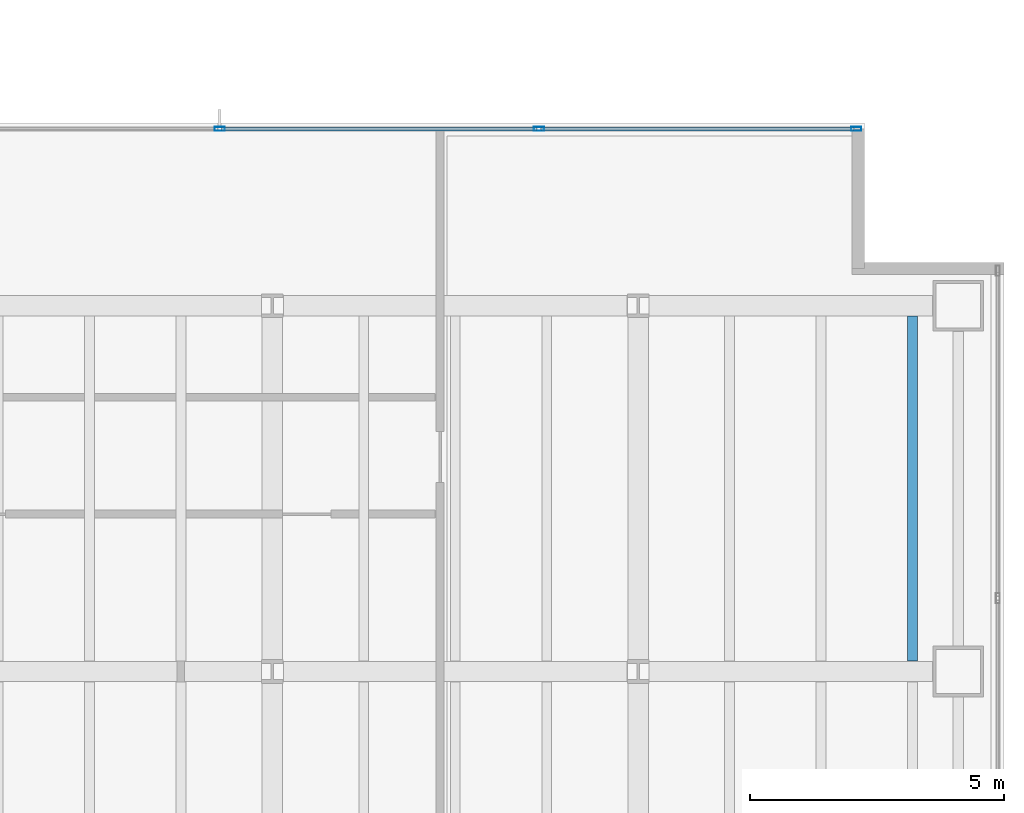
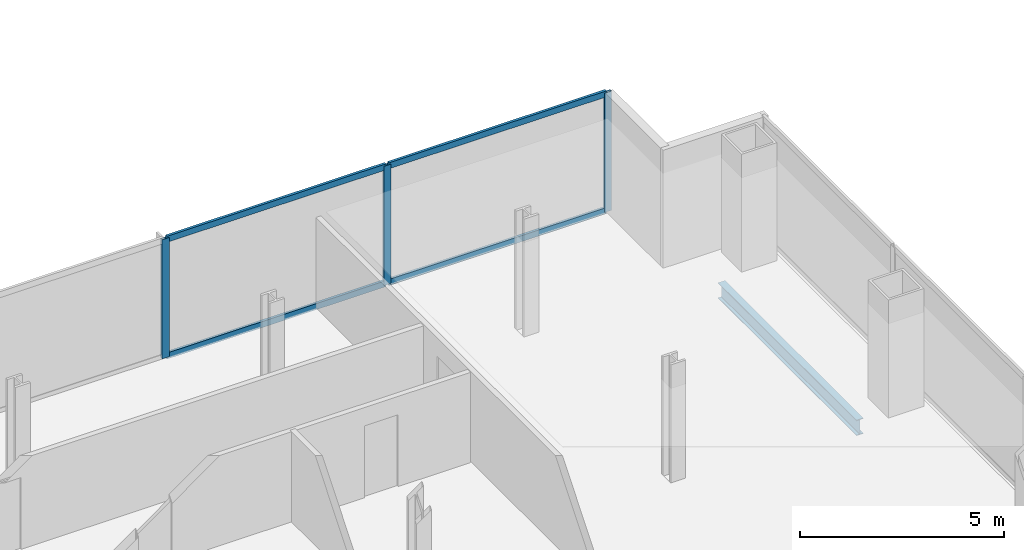
# One storey, part 12 of 24: 7 members, 1 beam, 1 element without a shape of its own.
"""IFC4 building model written with IfcOpenShell, lengths in metres."""

from ifc_helpers import new_model, si_unit, direction, frame, origin, origin_2d, place, context, subcontext, project, spatial, hollow_rectangle, i_section, extrude, material, material_profile, profile_set, type_object, element, aggregate, save


model = new_model("IFC4")

# Units and contexts
model_context = context("Model", 3, precision=1e-05, world=origin(), true_north=direction((0.0, 1.0)))
body_context = subcontext(model_context, "Body", "Model", "MODEL_VIEW")
ifc_project = project(units=[si_unit("LENGTHUNIT", "METRE"), si_unit("AREAUNIT", "SQUARE_METRE"), si_unit("VOLUMEUNIT", "CUBIC_METRE"), si_unit("PLANEANGLEUNIT", "RADIAN"), si_unit("MASSUNIT", "GRAM", prefix="KILO")], contexts=[model_context])

# Site, building, storey
site_placement = place(None, origin())
site = spatial("IfcSite", under=ifc_project, at=site_placement, CompositionType="ELEMENT")
building_placement = place(site_placement, origin())
building = spatial("IfcBuilding", under=site, at=building_placement, Name="Cobrela Telecom Tower", CompositionType="ELEMENT")
storey_placement = place(building_placement, frame((0.0, 0.0, 69.64990234375)))
storey = spatial("IfcBuildingStorey", under=building, at=storey_placement, Name="L17", CompositionType="ELEMENT", Elevation=69.64990234375)

# Beam
ifc_material_1 = material(Name="Steel ASTM A992 Grade 50", Category="steel")
ifc_material_profile_1 = material_profile(ifc_material_1, i_section(OverallWidth=0.193115234375, OverallDepth=0.467041015625, WebThickness=0.011474609375, FlangeThickness=0.01904296875, FilletRadius=0.012939453125, at=origin_2d()), Name="W18X65")
ifc_profile_set_1 = profile_set([ifc_material_profile_1], Name="Steel ASTM A992 Grade 50")
beam_type = type_object("IfcBeamType", Name="BM-JOIST-03", PredefinedType="JOIST", material=ifc_profile_set_1)
beam_placement = place(storey_placement, frame((48.60009765625, 14.6044921875, -0.513427734375), z_axis=(0.0, 1.0, 0.0), x_axis=(-1.0, 0.0, 0.0)))
element("IfcBeam", 1, at=beam_placement, inside=storey, type_object=beam_type, Name="L17 Secondary Composite Floor Beam J64", PredefinedType="JOIST", context=body_context, shape_type="SweptSolid", body=[
    extrude(i_section(OverallWidth=0.193115234375, OverallDepth=0.467041015625, WebThickness=0.011474609375, FlangeThickness=0.01904296875, FilletRadius=0.012939453125, at=origin_2d()), origin(), (0.0, 0.0, 1.0), 6.791015625),
])

# Curtain wall, members
ifc_material_2 = material(Name="Anodized Bronze Aluminium 6063-T6", Category="aluminium")
curtain_wall_type = type_object("IfcCurtainWallType", Name="CW-SYS-DATA", PredefinedType="USERDEFINED", material=ifc_material_2)
curtain_wall_placement = place(storey_placement, origin())
curtain_wall = element("IfcCurtainWall", 2, at=curtain_wall_placement, inside=storey, type_object=curtain_wall_type, Name="L17 Unitised Bronze Curtain Wall 11", ObjectType="UNITISED CURTAIN WALL", PredefinedType="USERDEFINED")
ifc_material_profile_2 = material_profile(ifc_material_2, hollow_rectangle(XDim=0.080078125, YDim=0.199951171875, WallThickness=0.00390625, at=origin_2d()), Name="ALU 80x200x4")
ifc_profile_set_2 = profile_set([ifc_material_profile_2], Name="Anodized Bronze Aluminium 6063-T6")
member_type_1 = type_object("IfcMemberType", Name="CW-SYS-DATA-MUL", PredefinedType="MULLION", material=ifc_profile_set_2)
member_1_placement = place(storey_placement, frame((34.96337890625, 25.080078125, 0.0), z_axis=(0.0, 0.0, 1.0), x_axis=(0.0, 1.0, 0.0)))
member_1 = element("IfcMember", 3, at=member_1_placement, type_object=member_type_1, Name="CW-DATA mullion 2", PredefinedType="MULLION", context=body_context, shape_type="SweptSolid", body=[
    extrude(hollow_rectangle(XDim=0.080078125, YDim=0.199951171875, WallThickness=0.00390625, at=origin_2d()), origin(), (0.0, 0.0, 1.0), 3.570068359375),
])
member_2_placement = place(storey_placement, frame((41.24658203125, 25.080078125, 0.0), z_axis=(0.0, 0.0, 1.0), x_axis=(0.0, 1.0, 0.0)))
member_2 = element("IfcMember", 4, at=member_2_placement, type_object=member_type_1, Name="CW-DATA mullion 3", PredefinedType="MULLION", context=body_context, shape_type="SweptSolid", body=[
    extrude(hollow_rectangle(XDim=0.080078125, YDim=0.199951171875, WallThickness=0.00390625, at=origin_2d()), origin(), (0.0, 0.0, 1.0), 3.570068359375),
])
member_3_placement = place(storey_placement, frame((47.489990234375, 25.080078125, 0.0), z_axis=(0.0, 0.0, 1.0), x_axis=(0.0, 1.0, 0.0)))
member_3 = element("IfcMember", 5, at=member_3_placement, type_object=member_type_1, Name="CW-DATA mullion 4", PredefinedType="MULLION", context=body_context, shape_type="SweptSolid", body=[
    extrude(hollow_rectangle(XDim=0.080078125, YDim=0.199951171875, WallThickness=0.00390625, at=origin_2d()), origin(), (0.0, 0.0, 1.0), 3.570068359375),
])
ifc_material_profile_3 = material_profile(ifc_material_2, hollow_rectangle(XDim=0.074951171875, YDim=0.179931640625, WallThickness=0.00390625, at=origin_2d()), Name="ALU 75x180x4")
ifc_profile_set_3 = profile_set([ifc_material_profile_3], Name="Anodized Bronze Aluminium 6063-T6")
member_type_2 = type_object("IfcMemberType", Name="CW-SYS-DATA-TRN", PredefinedType="USERDEFINED", material=ifc_profile_set_3)
member_4_placement = place(storey_placement, frame((35.00341796875, 25.080078125, 0.03759765625), z_axis=(1.0, 0.0, 0.0), x_axis=(0.0, 1.0, 0.0)))
member_4 = element("IfcMember", 6, at=member_4_placement, type_object=member_type_2, Name="CW-DATA transom 2.1", ObjectType="TRANSOM", PredefinedType="USERDEFINED", context=body_context, shape_type="SweptSolid", body=[
    extrude(hollow_rectangle(XDim=0.074951171875, YDim=0.179931640625, WallThickness=0.00390625, at=origin_2d()), origin(), (0.0, 0.0, 1.0), 6.203369140625),
])
member_5_placement = place(storey_placement, frame((35.00341796875, 25.080078125, 3.53271484375), z_axis=(1.0, 0.0, 0.0), x_axis=(0.0, 1.0, 0.0)))
member_5 = element("IfcMember", 7, at=member_5_placement, type_object=member_type_2, Name="CW-DATA transom 2.2", ObjectType="TRANSOM", PredefinedType="USERDEFINED", context=body_context, shape_type="SweptSolid", body=[
    extrude(hollow_rectangle(XDim=0.074951171875, YDim=0.179931640625, WallThickness=0.00390625, at=origin_2d()), origin(), (0.0, 0.0, 1.0), 6.203369140625),
])
member_6_placement = place(storey_placement, frame((41.28662109375, 25.080078125, 0.03759765625), z_axis=(1.0, 0.0, 0.0), x_axis=(0.0, 1.0, 0.0)))
member_6 = element("IfcMember", 8, at=member_6_placement, type_object=member_type_2, Name="CW-DATA transom 3.1", ObjectType="TRANSOM", PredefinedType="USERDEFINED", context=body_context, shape_type="SweptSolid", body=[
    extrude(hollow_rectangle(XDim=0.074951171875, YDim=0.179931640625, WallThickness=0.00390625, at=origin_2d()), origin(), (0.0, 0.0, 1.0), 6.163330078125),
])
member_7_placement = place(storey_placement, frame((41.28662109375, 25.080078125, 3.53271484375), z_axis=(1.0, 0.0, 0.0), x_axis=(0.0, 1.0, 0.0)))
member_7 = element("IfcMember", 9, at=member_7_placement, type_object=member_type_2, Name="CW-DATA transom 3.2", ObjectType="TRANSOM", PredefinedType="USERDEFINED", context=body_context, shape_type="SweptSolid", body=[
    extrude(hollow_rectangle(XDim=0.074951171875, YDim=0.179931640625, WallThickness=0.00390625, at=origin_2d()), origin(), (0.0, 0.0, 1.0), 6.163330078125),
])
aggregate(curtain_wall, [member_1, member_2, member_3, member_4, member_5, member_6, member_7])

save(model, "model.ifc")
